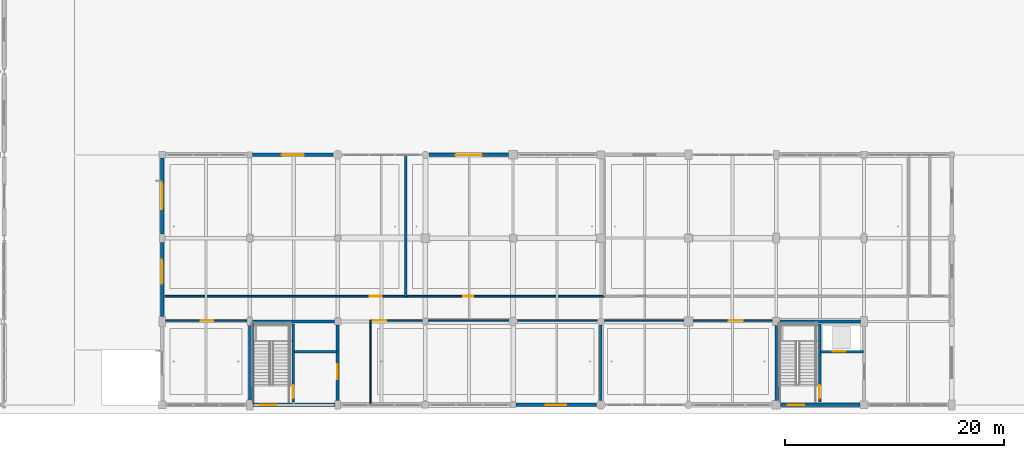
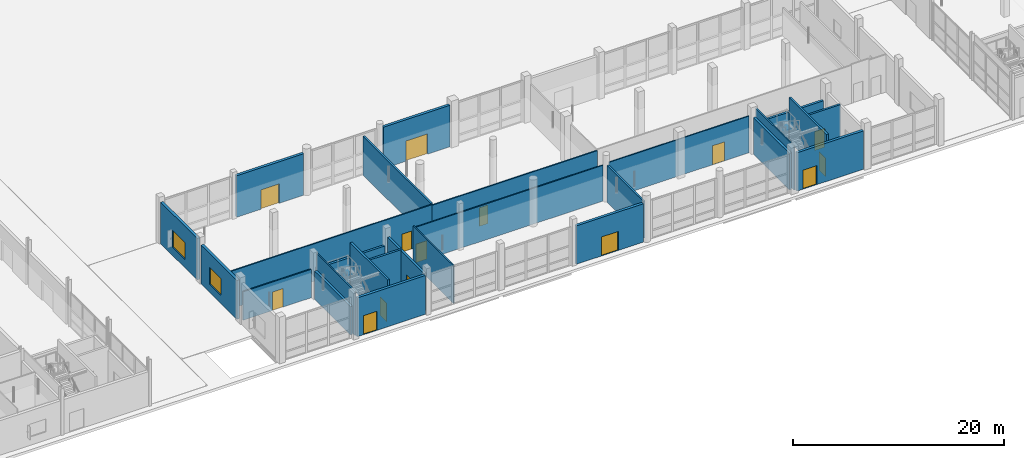
# One storey, part 62 of 126: 26 walls, 14 doors, 2 windows, 16 openings.
"""IFC4 building model written with IfcOpenShell, lengths in metres."""

from ifc_helpers import new_model, si_unit, direction, frame, frame_2d, origin, place, context, subcontext, project, spatial, rectangle, extrude, material, layer, layer_set, type_object, element, fill, save


model = new_model("IFC4")

# Units and contexts
model_context = context("Model", 3, precision=1e-05, world=origin(), true_north=direction((0.0, 1.0)))
body_context = subcontext(model_context, "Body", "Model", "MODEL_VIEW")
ifc_project = project(units=[si_unit("LENGTHUNIT", "METRE"), si_unit("AREAUNIT", "SQUARE_METRE"), si_unit("VOLUMEUNIT", "CUBIC_METRE"), si_unit("PLANEANGLEUNIT", "RADIAN"), si_unit("MASSUNIT", "GRAM", prefix="KILO")], contexts=[model_context])

# Site, building, storey
site_placement = place(None, origin())
site = spatial("IfcSite", under=ifc_project, at=site_placement, CompositionType="ELEMENT")
building_placement = place(site_placement, origin())
building = spatial("IfcBuilding", under=site, at=building_placement, Name="Khelvaren Railside Concert Hall", CompositionType="ELEMENT")
storey_placement = place(building_placement, origin())
storey = spatial("IfcBuildingStorey", under=building, at=storey_placement, Name="L00", CompositionType="ELEMENT", Elevation=0.0)

# Walls
ifc_material_1 = material(Name="Concrete C40/50", Category="concrete")
ifc_layer_1 = layer(ifc_material_1, 0.139892578125)
ifc_layer_set_1 = layer_set([ifc_layer_1], Name="Concrete C40/50")
wall_type_1 = type_object("IfcWallType", Name="CW17", PredefinedType="SOLIDWALL", material=ifc_layer_set_1)
for number, where, z_axis, x_axis, name in (
    (1, (72.27490234375, 0.14990234375, 0.0), (0.0, 0.0, 1.0), (0.0, 1.0, 0.0), "Core Shaft Structural Liner Wall ST-05-L00"),
    (2, (120.27490234375, 0.14990234375, 0.0), (0.0, 0.0, 1.0), (0.0, 1.0, 0.0), "Core Shaft Structural Liner Wall ST-06-L00"),
):
    element("IfcWall", number, at=place(storey_placement, frame(where, z_axis=z_axis, x_axis=x_axis)), inside=storey, type_object=wall_type_1, Name=name, PredefinedType="SOLIDWALL", context=body_context, shape_type="SweptSolid", body=[
        extrude(rectangle(XDim=7.300048828125, YDim=0.139892578125, at=frame_2d((3.64990234375, 0.0))), origin(), (0.0, 0.0, 1.0), 5.10009765625),
    ])
ifc_layer_2 = layer(ifc_material_1, 0.25)
ifc_layer_set_2 = layer_set([ifc_layer_2], Name="Concrete C40/50")
wall_type_2 = type_object("IfcWallType", Name="CW82", PredefinedType="SOLIDWALL", material=ifc_layer_set_2)
wall_1_placement = place(storey_placement, frame((72.0, 0.449951171875, 0.0), z_axis=(0.0, 0.0, 1.0), x_axis=(0.0, 1.0, 0.0)))
element("IfcWall", 3, at=wall_1_placement, inside=storey, type_object=wall_type_2, Name="Core Enclosure Wall CWALL-ST-05-L00-W", PredefinedType="SOLIDWALL", context=body_context, shape_type="SweptSolid", body=[
    extrude(rectangle(XDim=6.775146484375, YDim=0.25, at=frame_2d((3.3876953125, 0.0))), origin(), (0.0, 0.0, 1.0), 3.2900390625),
])
wall_2_placement = place(storey_placement, frame((72.25, 7.60009765625, 0.0), z_axis=(0.0, 0.0, 1.0), x_axis=(1.0, 0.0, 0.0)))
element("IfcWall", 4, at=wall_2_placement, inside=storey, type_object=wall_type_2, Name="Core Enclosure Wall CWALL-ST-05-L00-N", PredefinedType="SOLIDWALL", context=body_context, shape_type="SweptSolid", body=[
    extrude(rectangle(XDim=7.449951171875, YDim=0.25, at=frame_2d((3.72509765625, 0.0))), origin(), (0.0, 0.0, 1.0), 3.2900390625),
])

# Wall, opening, door
wall_3_placement = place(storey_placement, frame((80.0, 0.375, 0.0), z_axis=(0.0, 0.0, 1.0), x_axis=(0.0, 1.0, 0.0)))
wall_3 = element("IfcWall", 5, at=wall_3_placement, inside=storey, type_object=wall_type_2, Name="Core Enclosure Wall CWALL-ST-05-L00-E", PredefinedType="SOLIDWALL", context=body_context, shape_type="SweptSolid", body=[
    extrude(rectangle(XDim=6.925048828125, YDim=0.25, at=frame_2d((3.46240234375, 0.0))), origin(), (0.0, 0.0, 1.0), 4.35009765625),
])
opening_1_placement = place(wall_3_placement, frame((1.97509765625, 0.0, 0.0)))
opening_1 = element("IfcOpeningElement", 6, at=opening_1_placement, cuts=wall_3, Name="Opening FDR34", PredefinedType="OPENING", context=body_context, shape_type="SweptSolid", body=[
    extrude(rectangle(XDim=1.35009765625, YDim=2.199951171875, at=frame_2d((0.675048828125, 1.10009765625))), frame((0.0, 0.135009765625, 0.0), z_axis=(0.0, -1.0, 0.0), x_axis=(1.0, 0.0, 0.0)), (0.0, 0.0, 1.0), 0.27001953125),
])
ifc_material_2 = material(Name="Acoustic fire-rated timber-core steel frame door", Category="steel")
door_type_1 = type_object("IfcDoorType", Name="FDR34", OperationType="NOTDEFINED", PredefinedType="DOOR", material=ifc_material_2)
door_1_placement = place(opening_1_placement, origin())
door_1 = element("IfcDoor", 7, at=door_1_placement, inside=storey, type_object=door_type_1, Name="Interior Door DR-ST-05-L00-LOB", OperationType="SINGLE_SWING_LEFT", OverallHeight=2.199951171875, OverallWidth=1.35009765625, PredefinedType="DOOR", context=body_context, shape_type="SweptSolid", body=[
    extrude(rectangle(XDim=1.35009765625, YDim=2.199951171875, at=frame_2d((0.675048828125, 1.10009765625))), frame((0.0, 0.02490234375, 0.0), z_axis=(0.0, -1.0, 0.0), x_axis=(1.0, 0.0, 0.0)), (0.0, 0.0, 1.0), 0.050048828125),
])
fill(opening_1, door_1)

# Walls
wall_4_placement = place(storey_placement, frame((120.0, 0.39990234375, 0.0), z_axis=(0.0, 0.0, 1.0), x_axis=(0.0, 1.0, 0.0)))
element("IfcWall", 8, at=wall_4_placement, inside=storey, type_object=wall_type_2, Name="Core Enclosure Wall CWALL-ST-06-L00-W", PredefinedType="SOLIDWALL", context=body_context, shape_type="SweptSolid", body=[
    extrude(rectangle(XDim=6.85009765625, YDim=0.25, at=frame_2d((3.425048828125, 0.0))), origin(), (0.0, 0.0, 1.0), 4.22509765625),
])
wall_5_placement = place(storey_placement, frame((120.35009765625, 7.60009765625, 0.0), z_axis=(0.0, 0.0, 1.0), x_axis=(1.0, 0.0, 0.0)))
element("IfcWall", 9, at=wall_5_placement, inside=storey, type_object=wall_type_2, Name="Core Enclosure Wall CWALL-ST-06-L00-N", PredefinedType="SOLIDWALL", context=body_context, shape_type="SweptSolid", body=[
    extrude(rectangle(XDim=7.349853515625, YDim=0.25, at=frame_2d((3.6748046875, 0.0))), origin(), (0.0, 0.0, 1.0), 3.2900390625),
])

# Wall, opening, door
ifc_layer_3 = layer(ifc_material_1, 0.219970703125)
ifc_layer_set_3 = layer_set([ifc_layer_3], Name="Concrete C40/50")
wall_type_3 = type_object("IfcWallType", Name="CW97", PredefinedType="SOLIDWALL", material=ifc_layer_set_3)
wall_6_placement = place(storey_placement, frame((75.949951171875, 0.25, 0.0), z_axis=(0.0, 0.0, 1.0), x_axis=(0.0, 1.0, 0.0)))
wall_6 = element("IfcWall", 10, at=wall_6_placement, inside=storey, type_object=wall_type_3, Name="Core Enclosure Wall CWALL-ST-05-L00-MID", PredefinedType="SOLIDWALL", context=body_context, shape_type="SweptSolid", body=[
    extrude(rectangle(XDim=7.10009765625, YDim=0.219970703125, at=frame_2d((3.550048828125, 0.0))), origin(), (0.0, 0.0, 1.0), 5.10009765625),
])
opening_2_placement = place(wall_6_placement, frame((0.35009765625, 0.0, 0.0)))
opening_2 = element("IfcOpeningElement", 11, at=opening_2_placement, cuts=wall_6, Name="Opening FDR17", PredefinedType="OPENING", context=body_context, shape_type="SweptSolid", body=[
    extrude(rectangle(XDim=1.199951171875, YDim=2.14990234375, at=frame_2d((0.60009765625, 1.074951171875))), frame((0.0, 0.119873046875, 0.0), z_axis=(0.0, -1.0, 0.0), x_axis=(1.0, 0.0, 0.0)), (0.0, 0.0, 1.0), 0.239990234375),
])
door_type_2 = type_object("IfcDoorType", Name="FDR17", OperationType="NOTDEFINED", PredefinedType="DOOR", material=ifc_material_2)
door_2_placement = place(opening_2_placement, origin())
door_2 = element("IfcDoor", 12, at=door_2_placement, inside=storey, type_object=door_type_2, Name="Interior Door DR-ST-05-L00-ST", OperationType="SINGLE_SWING_RIGHT", OverallHeight=2.14990234375, OverallWidth=1.199951171875, PredefinedType="DOOR", context=body_context, shape_type="SweptSolid", body=[
    extrude(rectangle(XDim=1.199951171875, YDim=2.14990234375, at=frame_2d((0.60009765625, 1.074951171875))), frame((0.0, 0.02490234375, 0.0), z_axis=(0.0, -1.0, 0.0), x_axis=(1.0, 0.0, 0.0)), (0.0, 0.0, 1.0), 0.050048828125),
])
fill(opening_2, door_2)

# Wall
wall_7_placement = place(storey_placement, frame((76.02001953125, 4.85009765625, 0.0), z_axis=(0.0, 0.0, 1.0), x_axis=(1.0, 0.0, 0.0)))
element("IfcWall", 13, at=wall_7_placement, inside=storey, type_object=wall_type_3, Name="Core Enclosure Wall CWALL-ST-05-L00-SHF", PredefinedType="SOLIDWALL", context=body_context, shape_type="SweptSolid", body=[
    extrude(rectangle(XDim=3.929931640625, YDim=0.219970703125, at=frame_2d((1.96484375, 0.0))), origin(), (0.0, 0.0, 1.0), 4.455078125),
])

# Wall, opening, door
wall_8_placement = place(storey_placement, frame((123.949951171875, 0.25, 0.0), z_axis=(0.0, 0.0, 1.0), x_axis=(0.0, 1.0, 0.0)))
wall_8 = element("IfcWall", 14, at=wall_8_placement, inside=storey, type_object=wall_type_3, Name="Core Enclosure Wall CWALL-ST-06-L00-MID", PredefinedType="SOLIDWALL", context=body_context, shape_type="SweptSolid", body=[
    extrude(rectangle(XDim=7.10009765625, YDim=0.219970703125, at=frame_2d((3.550048828125, 0.0))), origin(), (0.0, 0.0, 1.0), 5.10009765625),
])
opening_3_placement = place(wall_8_placement, frame((0.35009765625, 0.0, 0.0)))
opening_3 = element("IfcOpeningElement", 15, at=opening_3_placement, cuts=wall_8, Name="Opening FDR17", PredefinedType="OPENING", context=body_context, shape_type="SweptSolid", body=[
    extrude(rectangle(XDim=1.199951171875, YDim=2.14990234375, at=frame_2d((0.60009765625, 1.074951171875))), frame((0.0, 0.119873046875, 0.0), z_axis=(0.0, -1.0, 0.0), x_axis=(1.0, 0.0, 0.0)), (0.0, 0.0, 1.0), 0.239990234375),
])
door_3_placement = place(opening_3_placement, origin())
door_3 = element("IfcDoor", 16, at=door_3_placement, inside=storey, type_object=door_type_2, Name="Interior Door DR-ST-06-L00-ST", OperationType="SINGLE_SWING_RIGHT", OverallHeight=2.14990234375, OverallWidth=1.199951171875, PredefinedType="DOOR", context=body_context, shape_type="SweptSolid", body=[
    extrude(rectangle(XDim=1.199951171875, YDim=2.14990234375, at=frame_2d((0.60009765625, 1.074951171875))), frame((0.0, 0.02490234375, 0.0), z_axis=(0.0, -1.0, 0.0), x_axis=(1.0, 0.0, 0.0)), (0.0, 0.0, 1.0), 0.050048828125),
])
fill(opening_3, door_3)

wall_9_placement = place(storey_placement, frame((124.02001953125, 4.85009765625, 0.0), z_axis=(0.0, 0.0, 1.0), x_axis=(1.0, 0.0, 0.0)))
wall_9 = element("IfcWall", 17, at=wall_9_placement, inside=storey, type_object=wall_type_3, Name="Core Enclosure Wall CWALL-ST-06-L00-SHF", PredefinedType="SOLIDWALL", context=body_context, shape_type="SweptSolid", body=[
    extrude(rectangle(XDim=3.929931640625, YDim=0.219970703125, at=frame_2d((1.96484375, 0.0))), origin(), (0.0, 0.0, 1.0), 4.39990234375),
])
opening_4_placement = place(wall_9_placement, frame((1.14990234375, 0.0, 0.0)))
opening_4 = element("IfcOpeningElement", 18, at=opening_4_placement, cuts=wall_9, Name="Opening LD-PL-04", PredefinedType="OPENING", context=body_context, shape_type="SweptSolid", body=[
    extrude(rectangle(XDim=1.10009765625, YDim=2.199951171875, at=frame_2d((0.550048828125, 1.10009765625))), frame((0.0, 0.119873046875, 0.0), z_axis=(0.0, -1.0, 0.0), x_axis=(1.0, 0.0, 0.0)), (0.0, 0.0, 1.0), 0.239990234375),
])
ifc_material_3 = material(Name="Fire-rated brushed stainless steel landing door", Category="steel")
door_type_3 = type_object("IfcDoorType", Name="LD96", OperationType="DOUBLE_DOOR_SLIDING", PredefinedType="DOOR", material=ifc_material_3)
door_4_placement = place(opening_4_placement, origin())
door_4 = element("IfcDoor", 19, at=door_4_placement, inside=storey, type_object=door_type_3, Name="Lift Landing Door LD-PL-04-L00", OperationType="DOUBLE_DOOR_SLIDING", OverallHeight=2.199951171875, OverallWidth=1.10009765625, PredefinedType="DOOR", context=body_context, shape_type="SweptSolid", body=[
    extrude(rectangle(XDim=1.10009765625, YDim=2.199951171875, at=frame_2d((0.550048828125, 1.10009765625))), frame((0.0, 0.02490234375, 0.0), z_axis=(0.0, -1.0, 0.0), x_axis=(1.0, 0.0, 0.0)), (0.0, 0.0, 1.0), 0.050048828125),
])
fill(opening_4, door_4)

ifc_material_4 = material(Name="Board-marked architectural concrete C40/50", Category="concrete")
ifc_layer_4 = layer(ifc_material_4, 0.2900390625)
ifc_layer_set_4 = layer_set([ifc_layer_4], Name="Board-marked architectural concrete C40/50")
wall_type_4 = type_object("IfcWallType", Name="EW77", PredefinedType="SOLIDWALL", material=ifc_layer_set_4)
wall_10_placement = place(storey_placement, frame((79.75, 0.0, 0.0), z_axis=(0.0, 0.0, 1.0), x_axis=(-1.0, 0.0, 0.0)))
wall_10 = element("IfcWall", 20, at=wall_10_placement, inside=storey, type_object=wall_type_4, Name="V3 L00 Exterior Concrete Wall S-72", PredefinedType="SOLIDWALL", context=body_context, shape_type="SweptSolid", body=[
    extrude(rectangle(XDim=7.449951171875, YDim=0.2900390625, at=frame_2d((3.72509765625, 0.0))), origin(), (0.0, 0.0, 1.0), 4.489990234375),
])
opening_5_placement = place(wall_10_placement, frame((5.300048828125, 0.0, 0.0)))
opening_5 = element("IfcOpeningElement", 21, at=opening_5_placement, cuts=wall_10, Name="Opening E-ST05", PredefinedType="OPENING", context=body_context, shape_type="SweptSolid", body=[
    extrude(rectangle(XDim=1.5, YDim=2.199951171875, at=frame_2d((0.75, 1.10009765625))), frame((0.0, 0.155029296875, 0.0), z_axis=(0.0, -1.0, 0.0), x_axis=(1.0, 0.0, 0.0)), (0.0, 0.0, 1.0), 0.31005859375),
])
ifc_material_5 = material(Name="Acoustic thermally broken steel exit door", Category="steel")
door_type_4 = type_object("IfcDoorType", Name="EDR82", OperationType="NOTDEFINED", PredefinedType="DOOR", material=ifc_material_5)
door_5_placement = place(opening_5_placement, origin())
door_5 = element("IfcDoor", 22, at=door_5_placement, inside=storey, type_object=door_type_4, Name="Final Stair Exit Door E-ST05", OperationType="SINGLE_SWING_LEFT", OverallHeight=2.199951171875, OverallWidth=1.5, PredefinedType="DOOR", context=body_context, shape_type="SweptSolid", body=[
    extrude(rectangle(XDim=1.5, YDim=2.199951171875, at=frame_2d((0.75, 1.10009765625))), frame((0.0, 0.02490234375, 0.0), z_axis=(0.0, -1.0, 0.0), x_axis=(1.0, 0.0, 0.0)), (0.0, 0.0, 1.0), 0.050048828125),
])
fill(opening_5, door_5)

wall_11_placement = place(storey_placement, frame((103.60009765625, 0.0, 0.0), z_axis=(0.0, 0.0, 1.0), x_axis=(-1.0, 0.0, 0.0)))
wall_11 = element("IfcWall", 23, at=wall_11_placement, inside=storey, type_object=wall_type_4, Name="V3 L00 Exterior Concrete Wall S-96", PredefinedType="SOLIDWALL", context=body_context, shape_type="SweptSolid", body=[
    extrude(rectangle(XDim=7.35009765625, YDim=0.2900390625, at=frame_2d((3.675048828125, 0.0))), origin(), (0.0, 0.0, 1.0), 4.43994140625),
])
opening_6_placement = place(wall_11_placement, frame((2.75, 0.0, 0.0)))
opening_6 = element("IfcOpeningElement", 24, at=opening_6_placement, cuts=wall_11, Name="Opening E-V3-03", PredefinedType="OPENING", context=body_context, shape_type="SweptSolid", body=[
    extrude(rectangle(XDim=1.85009765625, YDim=2.199951171875, at=frame_2d((0.925048828125, 1.10009765625))), frame((0.0, 0.155029296875, 0.0), z_axis=(0.0, -1.0, 0.0), x_axis=(1.0, 0.0, 0.0)), (0.0, 0.0, 1.0), 0.31005859375),
])
ifc_material_6 = material(Name="Anodised bronze glazed entrance door", Category="aluminium")
door_type_5 = type_object("IfcDoorType", Name="EDR28", OperationType="NOTDEFINED", PredefinedType="DOOR", material=ifc_material_6)
door_6_placement = place(opening_6_placement, origin())
door_6 = element("IfcDoor", 25, at=door_6_placement, inside=storey, type_object=door_type_5, Name="Public Entrance Exit Door E-V3-03", OperationType="SINGLE_SWING_RIGHT", OverallHeight=2.199951171875, OverallWidth=1.85009765625, PredefinedType="DOOR", context=body_context, shape_type="SweptSolid", body=[
    extrude(rectangle(XDim=1.85009765625, YDim=2.199951171875, at=frame_2d((0.925048828125, 1.10009765625))), frame((0.0, 0.02490234375, 0.0), z_axis=(0.0, -1.0, 0.0), x_axis=(1.0, 0.0, 0.0)), (0.0, 0.0, 1.0), 0.050048828125),
])
fill(opening_6, door_6)

wall_12_placement = place(storey_placement, frame((127.64990234375, 0.0, 0.0), z_axis=(0.0, 0.0, 1.0), x_axis=(-1.0, 0.0, 0.0)))
wall_12 = element("IfcWall", 26, at=wall_12_placement, inside=storey, type_object=wall_type_4, Name="V3 L00 Exterior Concrete Wall S-120", PredefinedType="SOLIDWALL", context=body_context, shape_type="SweptSolid", body=[
    extrude(rectangle(XDim=7.25, YDim=0.2900390625, at=frame_2d((3.625, 0.0))), origin(), (0.0, 0.0, 1.0), 4.43994140625),
])
opening_7_placement = place(wall_12_placement, frame((5.10009765625, 0.0, 0.0)))
opening_7 = element("IfcOpeningElement", 27, at=opening_7_placement, cuts=wall_12, Name="Opening E-ST06", PredefinedType="OPENING", context=body_context, shape_type="SweptSolid", body=[
    extrude(rectangle(XDim=1.5, YDim=2.199951171875, at=frame_2d((0.75, 1.10009765625))), frame((0.0, 0.155029296875, 0.0), z_axis=(0.0, -1.0, 0.0), x_axis=(1.0, 0.0, 0.0)), (0.0, 0.0, 1.0), 0.31005859375),
])
door_7_placement = place(opening_7_placement, origin())
door_7 = element("IfcDoor", 28, at=door_7_placement, inside=storey, type_object=door_type_4, Name="Final Stair Exit Door E-ST06", OperationType="SINGLE_SWING_LEFT", OverallHeight=2.199951171875, OverallWidth=1.5, PredefinedType="DOOR", context=body_context, shape_type="SweptSolid", body=[
    extrude(rectangle(XDim=1.5, YDim=2.199951171875, at=frame_2d((0.75, 1.10009765625))), frame((0.0, 0.02490234375, 0.0), z_axis=(0.0, -1.0, 0.0), x_axis=(1.0, 0.0, 0.0)), (0.0, 0.0, 1.0), 0.050048828125),
])
fill(opening_7, door_7)

# Wall, opening, window
wall_13_placement = place(storey_placement, frame((64.0, 8.050048828125, 0.0), z_axis=(0.0, 0.0, 1.0), x_axis=(0.0, 1.0, 0.0)))
wall_13 = element("IfcWall", 29, at=wall_13_placement, inside=storey, type_object=wall_type_4, Name="V3 L00 Exterior Concrete Wall W-8", PredefinedType="SOLIDWALL", context=body_context, shape_type="SweptSolid", body=[
    extrude(rectangle(XDim=6.77490234375, YDim=0.2900390625, at=frame_2d((3.387451171875, 0.0))), origin(), (0.0, 0.0, 1.0), 4.489990234375),
])
opening_8_placement = place(wall_13_placement, frame((2.987548828125, 0.0, 0.949951171875)))
opening_8 = element("IfcOpeningElement", 30, at=opening_8_placement, cuts=wall_13, Name="Opening WN17", PredefinedType="OPENING", context=body_context, shape_type="SweptSolid", body=[
    extrude(rectangle(XDim=2.199951171875, YDim=1.949951171875, at=frame_2d((1.10009765625, 0.97509765625))), frame((0.0, 0.155029296875, 0.0), z_axis=(0.0, -1.0, 0.0), x_axis=(1.0, 0.0, 0.0)), (0.0, 0.0, 1.0), 0.31005859375),
])
ifc_material_7 = material(Name="Triple-glazed acoustic aluminium window", Category="aluminium")
window_type_1 = type_object("IfcWindowType", Name="WN17", PartitioningType="DOUBLE_PANEL_VERTICAL", PredefinedType="WINDOW", material=ifc_material_7)
window_1_placement = place(opening_8_placement, origin())
window_1 = element("IfcWindow", 31, at=window_1_placement, inside=storey, type_object=window_type_1, Name="Acoustic Facade Window EW-V3-L00-W-8", OverallHeight=1.949951171875, OverallWidth=2.199951171875, PartitioningType="DOUBLE_PANEL_VERTICAL", PredefinedType="WINDOW", context=body_context, shape_type="SweptSolid", body=[
    extrude(rectangle(XDim=2.199951171875, YDim=1.949951171875, at=frame_2d((1.10009765625, 0.97509765625))), frame((0.0, 0.030029296875, 0.0), z_axis=(0.0, -1.0, 0.0), x_axis=(1.0, 0.0, 0.0)), (0.0, 0.0, 1.0), 0.06005859375),
])
fill(opening_8, window_1)

wall_14_placement = place(storey_placement, frame((64.0, 15.574951171875, 0.0), z_axis=(0.0, 0.0, 1.0), x_axis=(0.0, 1.0, 0.0)))
wall_14 = element("IfcWall", 32, at=wall_14_placement, inside=storey, type_object=wall_type_4, Name="V3 L00 Exterior Concrete Wall W-15", PredefinedType="SOLIDWALL", context=body_context, shape_type="SweptSolid", body=[
    extrude(rectangle(XDim=6.925048828125, YDim=0.2900390625, at=frame_2d((3.46240234375, 0.0))), origin(), (0.0, 0.0, 1.0), 4.800048828125),
])
opening_9_placement = place(wall_14_placement, frame((2.262451171875, 0.0, 0.949951171875)))
opening_9 = element("IfcOpeningElement", 33, at=opening_9_placement, cuts=wall_14, Name="Opening WN77", PredefinedType="OPENING", context=body_context, shape_type="SweptSolid", body=[
    extrude(rectangle(XDim=2.39990234375, YDim=1.949951171875, at=frame_2d((1.199951171875, 0.97509765625))), frame((0.0, 0.155029296875, 0.0), z_axis=(0.0, -1.0, 0.0), x_axis=(1.0, 0.0, 0.0)), (0.0, 0.0, 1.0), 0.31005859375),
])
window_type_2 = type_object("IfcWindowType", Name="WN77", PartitioningType="DOUBLE_PANEL_VERTICAL", PredefinedType="WINDOW", material=ifc_material_7)
window_2_placement = place(opening_9_placement, origin())
window_2 = element("IfcWindow", 34, at=window_2_placement, inside=storey, type_object=window_type_2, Name="Acoustic Facade Window EW-V3-L00-W-15", OverallHeight=1.949951171875, OverallWidth=2.39990234375, PartitioningType="DOUBLE_PANEL_VERTICAL", PredefinedType="WINDOW", context=body_context, shape_type="SweptSolid", body=[
    extrude(rectangle(XDim=2.39990234375, YDim=1.949951171875, at=frame_2d((1.199951171875, 0.97509765625))), frame((0.0, 0.030029296875, 0.0), z_axis=(0.0, -1.0, 0.0), x_axis=(1.0, 0.0, 0.0)), (0.0, 0.0, 1.0), 0.06005859375),
])
fill(opening_9, window_2)

# Wall, opening, door
wall_15_placement = place(storey_placement, frame((72.25, 22.800048828125, 0.0), z_axis=(0.0, 0.0, 1.0), x_axis=(1.0, 0.0, 0.0)))
wall_15 = element("IfcWall", 35, at=wall_15_placement, inside=storey, type_object=wall_type_4, Name="V3 L00 Exterior Concrete Wall N-72", PredefinedType="SOLIDWALL", context=body_context, shape_type="SweptSolid", body=[
    extrude(rectangle(XDim=7.35009765625, YDim=0.2900390625, at=frame_2d((3.675048828125, 0.0))), origin(), (0.0, 0.0, 1.0), 4.800048828125),
])
opening_10_placement = place(wall_15_placement, frame((2.675048828125, 0.0, 0.0)))
opening_10 = element("IfcOpeningElement", 36, at=opening_10_placement, cuts=wall_15, Name="Opening E-V3-01", PredefinedType="OPENING", context=body_context, shape_type="SweptSolid", body=[
    extrude(rectangle(XDim=2.0, YDim=2.25, at=frame_2d((1.0, 1.125))), frame((0.0, 0.155029296875, 0.0), z_axis=(0.0, -1.0, 0.0), x_axis=(1.0, 0.0, 0.0)), (0.0, 0.0, 1.0), 0.31005859375),
])
door_type_6 = type_object("IfcDoorType", Name="EDR42", OperationType="NOTDEFINED", PredefinedType="DOOR", material=ifc_material_6)
door_8_placement = place(opening_10_placement, origin())
door_8 = element("IfcDoor", 37, at=door_8_placement, inside=storey, type_object=door_type_6, Name="Public Entrance Exit Door E-V3-01", OperationType="SINGLE_SWING_RIGHT", OverallHeight=2.25, OverallWidth=2.0, PredefinedType="DOOR", context=body_context, shape_type="SweptSolid", body=[
    extrude(rectangle(XDim=2.0, YDim=2.25, at=frame_2d((1.0, 1.125))), frame((0.0, 0.02490234375, 0.0), z_axis=(0.0, -1.0, 0.0), x_axis=(1.0, 0.0, 0.0)), (0.0, 0.0, 1.0), 0.050048828125),
])
fill(opening_10, door_8)

wall_16_placement = place(storey_placement, frame((88.324951171875, 22.800048828125, 0.0), z_axis=(0.0, 0.0, 1.0), x_axis=(1.0, 0.0, 0.0)))
wall_16 = element("IfcWall", 38, at=wall_16_placement, inside=storey, type_object=wall_type_4, Name="V3 L00 Exterior Concrete Wall N-88", PredefinedType="SOLIDWALL", context=body_context, shape_type="SweptSolid", body=[
    extrude(rectangle(XDim=7.275146484375, YDim=0.2900390625, at=frame_2d((3.6376953125, 0.0))), origin(), (0.0, 0.0, 1.0), 4.800048828125),
])
opening_11_placement = place(wall_16_placement, frame((2.4375, 0.0, 0.0)))
opening_11 = element("IfcOpeningElement", 39, at=opening_11_placement, cuts=wall_16, Name="Opening E-V3-04", PredefinedType="OPENING", context=body_context, shape_type="SweptSolid", body=[
    extrude(rectangle(XDim=2.39990234375, YDim=2.35009765625, at=frame_2d((1.199951171875, 1.175048828125))), frame((0.0, 0.155029296875, 0.0), z_axis=(0.0, -1.0, 0.0), x_axis=(1.0, 0.0, 0.0)), (0.0, 0.0, 1.0), 0.31005859375),
])
door_type_7 = type_object("IfcDoorType", Name="EDR86", OperationType="NOTDEFINED", PredefinedType="DOOR", material=ifc_material_6)
door_9_placement = place(opening_11_placement, origin())
door_9 = element("IfcDoor", 40, at=door_9_placement, inside=storey, type_object=door_type_7, Name="Public Entrance Exit Door E-V3-04", OperationType="SINGLE_SWING_LEFT", OverallHeight=2.35009765625, OverallWidth=2.39990234375, PredefinedType="DOOR", context=body_context, shape_type="SweptSolid", body=[
    extrude(rectangle(XDim=2.39990234375, YDim=2.35009765625, at=frame_2d((1.199951171875, 1.175048828125))), frame((0.0, 0.02490234375, 0.0), z_axis=(0.0, -1.0, 0.0), x_axis=(1.0, 0.0, 0.0)), (0.0, 0.0, 1.0), 0.050048828125),
])
fill(opening_11, door_9)

ifc_material_8 = material(Name="Acoustic double-stud gypsum partition", Category="gypsum")
ifc_layer_5 = layer(ifc_material_8, 0.139892578125)
ifc_layer_set_5 = layer_set([ifc_layer_5], Name="Acoustic double-stud gypsum partition")
wall_type_5 = type_object("IfcWallType", Name="PT55", PredefinedType="PARTITIONING", material=ifc_layer_set_5)
wall_17_placement = place(storey_placement, frame((64.080078125, 9.89990234375, 0.0), z_axis=(0.0, 0.0, 1.0), x_axis=(1.0, 0.0, 0.0)))
wall_17 = element("IfcWall", 41, at=wall_17_placement, inside=storey, type_object=wall_type_5, Name="Acoustic Partition Wall PW-V3-L00-N-C01", PredefinedType="PARTITIONING", context=body_context, shape_type="SweptSolid", body=[
    extrude(rectangle(XDim=22.135986328125, YDim=0.139892578125, at=frame_2d((11.06787109375, 0.0))), origin(), (0.0, 0.0, 1.0), 4.35009765625),
])
opening_12_placement = place(wall_17_placement, frame((18.846435546875, 0.0, 0.0)))
opening_12 = element("IfcOpeningElement", 42, at=opening_12_placement, cuts=wall_17, Name="Opening IDR70", PredefinedType="OPENING", context=body_context, shape_type="SweptSolid", body=[
    extrude(rectangle(XDim=1.080078125, YDim=2.10009765625, at=frame_2d((0.5400390625, 1.050048828125))), frame((0.0, 0.079833984375, 0.0), z_axis=(0.0, -1.0, 0.0), x_axis=(1.0, 0.0, 0.0)), (0.0, 0.0, 1.0), 0.159912109375),
])
ifc_material_9 = material(Name="Solid oak acoustic studio door", Category="wood")
door_type_8 = type_object("IfcDoorType", Name="IDR70", OperationType="NOTDEFINED", PredefinedType="DOOR", material=ifc_material_9)
door_10_placement = place(opening_12_placement, origin())
door_10 = element("IfcDoor", 43, at=door_10_placement, inside=storey, type_object=door_type_8, Name="Interior Door DR-V3-L00-N-01", OperationType="SINGLE_SWING_LEFT", OverallHeight=2.10009765625, OverallWidth=1.080078125, PredefinedType="DOOR", context=body_context, shape_type="SweptSolid", body=[
    extrude(rectangle(XDim=1.080078125, YDim=2.10009765625, at=frame_2d((0.5400390625, 1.050048828125))), frame((0.0, 0.02490234375, 0.0), z_axis=(0.0, -1.0, 0.0), x_axis=(1.0, 0.0, 0.0)), (0.0, 0.0, 1.0), 0.050048828125),
])
fill(opening_12, door_10)

wall_18_placement = place(storey_placement, frame((86.216064453125, 9.89990234375, 0.0), z_axis=(0.0, 0.0, 1.0), x_axis=(1.0, 0.0, 0.0)))
wall_18 = element("IfcWall", 44, at=wall_18_placement, inside=storey, type_object=wall_type_5, Name="Acoustic Partition Wall PW-V3-L00-N-C02", PredefinedType="PARTITIONING", context=body_context, shape_type="SweptSolid", body=[
    extrude(rectangle(XDim=18.11083984375, YDim=0.139892578125, at=frame_2d((9.055419921875, 0.0))), origin(), (0.0, 0.0, 1.0), 4.27490234375),
])
opening_13_placement = place(wall_18_placement, frame((5.22119140625, 0.0, 0.0)))
opening_13 = element("IfcOpeningElement", 45, at=opening_13_placement, cuts=wall_18, Name="Opening IDR15", PredefinedType="OPENING", context=body_context, shape_type="SweptSolid", body=[
    extrude(rectangle(XDim=0.919921875, YDim=2.14990234375, at=frame_2d((0.4599609375, 1.074951171875))), frame((0.0, 0.079833984375, 0.0), z_axis=(0.0, -1.0, 0.0), x_axis=(1.0, 0.0, 0.0)), (0.0, 0.0, 1.0), 0.159912109375),
])
door_type_9 = type_object("IfcDoorType", Name="IDR15", OperationType="NOTDEFINED", PredefinedType="DOOR", material=ifc_material_9)
door_11_placement = place(opening_13_placement, origin())
door_11 = element("IfcDoor", 46, at=door_11_placement, inside=storey, type_object=door_type_9, Name="Interior Door DR-V3-L00-N-02", OperationType="SINGLE_SWING_RIGHT", OverallHeight=2.14990234375, OverallWidth=0.919921875, PredefinedType="DOOR", context=body_context, shape_type="SweptSolid", body=[
    extrude(rectangle(XDim=0.919921875, YDim=2.14990234375, at=frame_2d((0.4599609375, 1.074951171875))), frame((0.0, 0.02490234375, 0.0), z_axis=(0.0, -1.0, 0.0), x_axis=(1.0, 0.0, 0.0)), (0.0, 0.0, 1.0), 0.050048828125),
])
fill(opening_13, door_11)

wall_19_placement = place(storey_placement, frame((64.300048828125, 7.699951171875, 0.0), z_axis=(0.0, 0.0, 1.0), x_axis=(1.0, 0.0, 0.0)))
wall_19 = element("IfcWall", 47, at=wall_19_placement, inside=storey, type_object=wall_type_5, Name="Acoustic Partition Wall PW-V3-L00-SW-C01", PredefinedType="PARTITIONING", context=body_context, shape_type="SweptSolid", body=[
    extrude(rectangle(XDim=7.449951171875, YDim=0.139892578125, at=frame_2d((3.72509765625, 0.0))), origin(), (0.0, 0.0, 1.0), 3.2900390625),
])
opening_14_placement = place(wall_19_placement, frame((3.22509765625, 0.0, 0.0)))
opening_14 = element("IfcOpeningElement", 48, at=opening_14_placement, cuts=wall_19, Name="Opening IDR73", PredefinedType="OPENING", context=body_context, shape_type="SweptSolid", body=[
    extrude(rectangle(XDim=1.14990234375, YDim=2.14990234375, at=frame_2d((0.574951171875, 1.074951171875))), frame((0.0, 0.079833984375, 0.0), z_axis=(0.0, -1.0, 0.0), x_axis=(1.0, 0.0, 0.0)), (0.0, 0.0, 1.0), 0.159912109375),
])
door_type_10 = type_object("IfcDoorType", Name="IDR73", OperationType="NOTDEFINED", PredefinedType="DOOR", material=ifc_material_9)
door_12_placement = place(opening_14_placement, origin())
door_12 = element("IfcDoor", 49, at=door_12_placement, inside=storey, type_object=door_type_10, Name="Interior Door DR-V3-L00-SW-01", OperationType="SINGLE_SWING_RIGHT", OverallHeight=2.14990234375, OverallWidth=1.14990234375, PredefinedType="DOOR", context=body_context, shape_type="SweptSolid", body=[
    extrude(rectangle(XDim=1.14990234375, YDim=2.14990234375, at=frame_2d((0.574951171875, 1.074951171875))), frame((0.0, 0.02490234375, 0.0), z_axis=(0.0, -1.0, 0.0), x_axis=(1.0, 0.0, 0.0)), (0.0, 0.0, 1.0), 0.050048828125),
])
fill(opening_14, door_12)

ifc_layer_6 = layer(ifc_material_8, 0.1298828125)
ifc_layer_set_6 = layer_set([ifc_layer_6], Name="Acoustic double-stud gypsum partition")
wall_type_6 = type_object("IfcWallType", Name="PT69", PredefinedType="PARTITIONING", material=ifc_layer_set_6)
wall_20_placement = place(storey_placement, frame((83.0, 7.699951171875, 0.0), z_axis=(0.0, 0.0, 1.0), x_axis=(1.0, 0.0, 0.0)))
wall_20 = element("IfcWall", 50, at=wall_20_placement, inside=storey, type_object=wall_type_6, Name="Acoustic Partition Wall PW-V3-L00-S-C01", PredefinedType="PARTITIONING", context=body_context, shape_type="SweptSolid", body=[
    extrude(rectangle(XDim=20.675048828125, YDim=0.1298828125, at=frame_2d((10.33740234375, 0.0))), origin(), (0.0, 0.0, 1.0), 4.139892578125),
])
opening_15_placement = place(wall_20_placement, frame((0.219970703125, 0.0, 0.0)))
opening_15 = element("IfcOpeningElement", 51, at=opening_15_placement, cuts=wall_20, Name="Opening IDR44", PredefinedType="OPENING", context=body_context, shape_type="SweptSolid", body=[
    extrude(rectangle(XDim=1.219970703125, YDim=2.14990234375, at=frame_2d((0.60986328125, 1.074951171875))), frame((0.0, 0.074951171875, 0.0), z_axis=(0.0, -1.0, 0.0), x_axis=(1.0, 0.0, 0.0)), (0.0, 0.0, 1.0), 0.14990234375),
])
door_type_11 = type_object("IfcDoorType", Name="IDR44", OperationType="NOTDEFINED", PredefinedType="DOOR", material=ifc_material_9)
door_13_placement = place(opening_15_placement, origin())
door_13 = element("IfcDoor", 52, at=door_13_placement, inside=storey, type_object=door_type_11, Name="Interior Door DR-V3-L00-S-01", OperationType="SINGLE_SWING_LEFT", OverallHeight=2.14990234375, OverallWidth=1.219970703125, PredefinedType="DOOR", context=body_context, shape_type="SweptSolid", body=[
    extrude(rectangle(XDim=1.219970703125, YDim=2.14990234375, at=frame_2d((0.60986328125, 1.074951171875))), frame((0.0, 0.02490234375, 0.0), z_axis=(0.0, -1.0, 0.0), x_axis=(1.0, 0.0, 0.0)), (0.0, 0.0, 1.0), 0.050048828125),
])
fill(opening_15, door_13)

wall_21_placement = place(storey_placement, frame((104.324951171875, 7.699951171875, 0.0), z_axis=(0.0, 0.0, 1.0), x_axis=(1.0, 0.0, 0.0)))
wall_21 = element("IfcWall", 53, at=wall_21_placement, inside=storey, type_object=wall_type_6, Name="Acoustic Partition Wall PW-V3-L00-S-C02", PredefinedType="PARTITIONING", context=body_context, shape_type="SweptSolid", body=[
    extrude(rectangle(XDim=15.324951171875, YDim=0.1298828125, at=frame_2d((7.66259765625, 0.0))), origin(), (0.0, 0.0, 1.0), 4.239990234375),
])
opening_16_placement = place(wall_21_placement, frame((11.327880859375, 0.0, 0.0)))
opening_16 = element("IfcOpeningElement", 54, at=opening_16_placement, cuts=wall_21, Name="Opening IDR18", PredefinedType="OPENING", context=body_context, shape_type="SweptSolid", body=[
    extrude(rectangle(XDim=1.300048828125, YDim=2.199951171875, at=frame_2d((0.64990234375, 1.10009765625))), frame((0.0, 0.074951171875, 0.0), z_axis=(0.0, -1.0, 0.0), x_axis=(1.0, 0.0, 0.0)), (0.0, 0.0, 1.0), 0.14990234375),
])
door_type_12 = type_object("IfcDoorType", Name="IDR18", OperationType="NOTDEFINED", PredefinedType="DOOR", material=ifc_material_9)
door_14_placement = place(opening_16_placement, origin())
door_14 = element("IfcDoor", 55, at=door_14_placement, inside=storey, type_object=door_type_12, Name="Interior Door DR-V3-L00-S-02", OperationType="SINGLE_SWING_RIGHT", OverallHeight=2.199951171875, OverallWidth=1.300048828125, PredefinedType="DOOR", context=body_context, shape_type="SweptSolid", body=[
    extrude(rectangle(XDim=1.300048828125, YDim=2.199951171875, at=frame_2d((0.64990234375, 1.10009765625))), frame((0.0, 0.02490234375, 0.0), z_axis=(0.0, -1.0, 0.0), x_axis=(1.0, 0.0, 0.0)), (0.0, 0.0, 1.0), 0.050048828125),
])
fill(opening_16, door_14)

# Walls
wall_22_placement = place(storey_placement, frame((83.0, 0.080078125, 0.0), z_axis=(0.0, 0.0, 1.0), x_axis=(0.0, 1.0, 0.0)))
element("IfcWall", 56, at=wall_22_placement, inside=storey, type_object=wall_type_6, Name="Acoustic Partition Wall PW-V3-L00-S-W0", PredefinedType="PARTITIONING", context=body_context, shape_type="SweptSolid", body=[
    extrude(rectangle(XDim=7.619873046875, YDim=0.1298828125, at=frame_2d((3.81005859375, 0.0))), origin(), (0.0, 0.0, 1.0), 4.35009765625),
])
ifc_layer_7 = layer(ifc_material_8, 0.199951171875)
ifc_layer_set_7 = layer_set([ifc_layer_7], Name="Acoustic double-stud gypsum partition")
wall_type_7 = type_object("IfcWallType", Name="PT75", PredefinedType="PARTITIONING", material=ifc_layer_set_7)
wall_23_placement = place(storey_placement, frame((86.216064453125, 9.89990234375, 0.0), z_axis=(0.0, 0.0, 1.0), x_axis=(0.0, 1.0, 0.0)))
element("IfcWall", 57, at=wall_23_placement, inside=storey, type_object=wall_type_7, Name="Acoustic Partition Wall PW-V3-L00-N-D01", PredefinedType="PARTITIONING", context=body_context, shape_type="SweptSolid", body=[
    extrude(rectangle(XDim=12.820068359375, YDim=0.199951171875, at=frame_2d((6.41015625, 0.0))), origin(), (0.0, 0.0, 1.0), 4.4951171875),
])
wall_24_placement = place(storey_placement, frame((104.0, 0.39990234375, 0.0), z_axis=(0.0, 0.0, 1.0), x_axis=(0.0, 1.0, 0.0)))
element("IfcWall", 58, at=wall_24_placement, inside=storey, type_object=wall_type_7, Name="Acoustic Partition Wall PW-V3-L00-S-D01", PredefinedType="PARTITIONING", context=body_context, shape_type="SweptSolid", body=[
    extrude(rectangle(XDim=6.875, YDim=0.199951171875, at=frame_2d((3.4375, 0.0))), origin(), (0.0, 0.0, 1.0), 4.27490234375),
])

save(model, "model.ifc")
